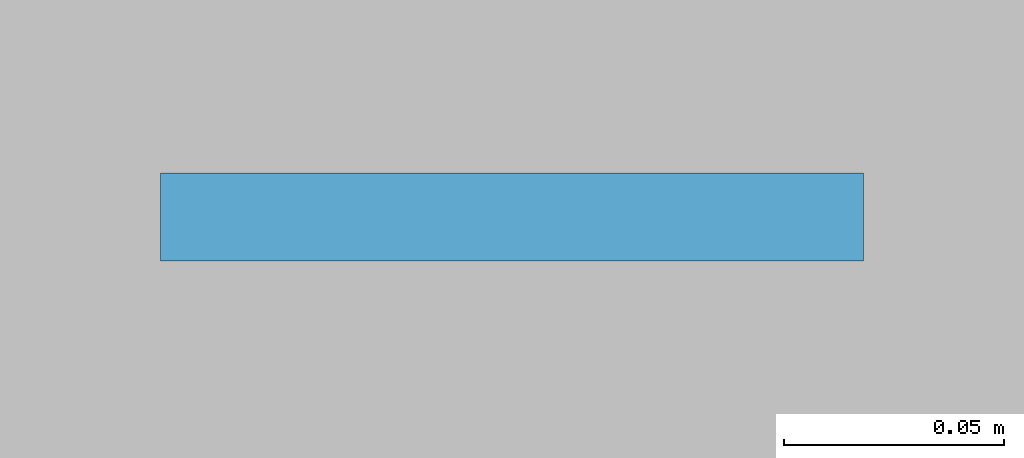
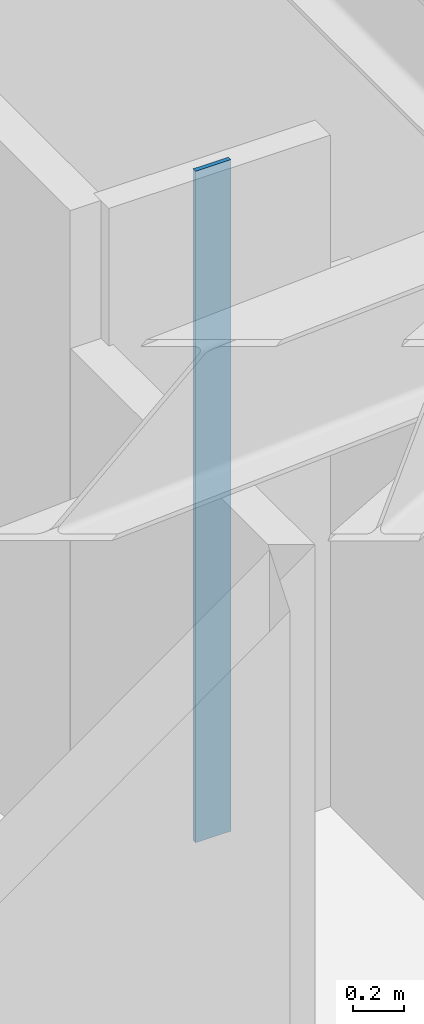
# One storey, part 2 of 9: 1 plate.
"""IFC4 building model written with IfcOpenShell, lengths in metres."""

import ifcopenshell
import ifcopenshell.guid

model = None  # the IFC model being written
_history = None  # IfcOwnerHistory: only IFC2X3 demands one
_inside = {}  # id of a spatial element -> (the spatial element, [elements in it])
_under = {}  # id of a project, library or spatial element -> (it, [spatial elements below it])
_declared = {}  # id of a project -> (the project, [libraries it declares])
_typed = {}  # id of a type object -> (the type object, [elements of that type])
_made_of = {}  # id of a material, layer set ... -> (it, [elements and type objects made of it])


def new_model(schema):
    """Start an empty IFC model of exactly this schema.

    Asked for "IFC4X3", IfcOpenShell would pick the latest addendum, in which some entities
    have other attributes; the version numbers below select the first issue.
    IFC2X3 requires an IfcOwnerHistory on every rooted entity: one is made here for all.
    """
    global model, _history
    if schema == "IFC4X3":
        model = ifcopenshell.file(schema_version=(4, 3, 0, 0))
    else:
        model = ifcopenshell.file(schema=schema)
    _inside.clear()
    _under.clear()
    _declared.clear()
    _typed.clear()
    _made_of.clear()
    _history = None
    if model.schema == "IFC2X3":
        org = make("IfcOrganization", Name="unknown")
        user = make(
            "IfcPersonAndOrganization",
            ThePerson=make("IfcPerson", FamilyName="unknown"),
            TheOrganization=org,
        )
        app = make(
            "IfcApplication",
            ApplicationDeveloper=org,
            Version="unknown",
            ApplicationFullName="unknown",
            ApplicationIdentifier="unknown",
        )
        _history = make(
            "IfcOwnerHistory",
            OwningUser=user,
            OwningApplication=app,
            ChangeAction="ADDED",
            CreationDate=0,
        )
    return model


def make(cls, **values):
    """One entity of the class cls with the attributes given. An attribute that is None is left unset."""
    return model.create_entity(
        cls, **{name: value for name, value in values.items() if value is not None}
    )


def rooted(cls, **values):
    """An entity with a GlobalId (a new one), such as an element, a storey or a relation."""
    return make(cls, GlobalId=ifcopenshell.guid.new(), OwnerHistory=_history, **values)


def si_unit(unit_type, name, prefix=None):
    """IfcSIUnit, for example si_unit("LENGTHUNIT", "METRE", prefix="MILLI")."""
    return make("IfcSIUnit", UnitType=unit_type, Prefix=prefix, Name=name)


def assignment(units):
    """IfcUnitAssignment: the units of a project."""
    return None if units is None else make("IfcUnitAssignment", Units=units)


def point(xyz):
    """IfcCartesianPoint."""
    return None if xyz is None else make("IfcCartesianPoint", Coordinates=xyz)


def direction(xyz):
    """IfcDirection."""
    return None if xyz is None else make("IfcDirection", DirectionRatios=xyz)


def frame(location, z_axis=None, x_axis=None):
    """IfcAxis2Placement3D, a coordinate frame: its origin and axes. An axis left out is left unset."""
    return make(
        "IfcAxis2Placement3D",
        Location=point(location),
        Axis=direction(z_axis),
        RefDirection=direction(x_axis),
    )


def frame_2d(location, x_axis=None):
    """IfcAxis2Placement2D, a coordinate frame in the plane: its origin and x axis."""
    return make(
        "IfcAxis2Placement2D", Location=point(location), RefDirection=direction(x_axis)
    )


def origin():
    """The frame at (0, 0, 0) with its axes left unset."""
    return frame((0.0, 0.0, 0.0))


def origin_2d():
    """The frame at (0, 0) in the plane with its x axis left unset."""
    return frame_2d((0.0, 0.0))


def place(relative_to, where):
    """IfcLocalPlacement: puts the frame where relative to a parent placement (None: the world)."""
    return make(
        "IfcLocalPlacement", PlacementRelTo=relative_to, RelativePlacement=where
    )


def context(
    kind, dimensions, precision=None, world=None, true_north=None, identifier=None
):
    """IfcGeometricRepresentationContext, for example the 3D "Model" context."""
    return make(
        "IfcGeometricRepresentationContext",
        ContextIdentifier=identifier,
        ContextType=kind,
        CoordinateSpaceDimension=dimensions,
        Precision=precision,
        WorldCoordinateSystem=world,
        TrueNorth=true_north,
    )


def subcontext(parent, identifier, kind, view, scale=None):
    """IfcGeometricRepresentationSubContext, for example "Body" below "Model"."""
    return make(
        "IfcGeometricRepresentationSubContext",
        ContextIdentifier=identifier,
        ContextType=kind,
        ParentContext=parent,
        TargetScale=scale,
        TargetView=view,
    )


def project(units=None, contexts=None):
    """IfcProject with its units and contexts."""
    return rooted(
        "IfcProject",
        Name="project",
        RepresentationContexts=contexts,
        UnitsInContext=assignment(units),
    )


def spatial(cls, under=None, at=None, **own):
    """A site, building, storey or space (cls), placed at a placement, below another one or the project."""
    s = rooted(cls, ObjectPlacement=at, **own)
    if under is not None:
        _under.setdefault(under.id(), (under, []))[1].append(s)
    return s


def profile(cls, at=None, kind="AREA", **sizes):
    """A parametric profile (cls). Its sizes go by their IFC names, for example OverallWidth=200.0."""
    return make(cls, ProfileType=kind, Position=at, **sizes)


def rectangle(**sizes):
    """IfcRectangleProfileDef."""
    return profile("IfcRectangleProfileDef", **sizes)


def extrude(swept, where, along, depth):
    """IfcExtrudedAreaSolid: the profile swept, set in the frame where, extruded along a direction by depth."""
    return make(
        "IfcExtrudedAreaSolid",
        SweptArea=swept,
        Position=where,
        ExtrudedDirection=direction(along),
        Depth=depth,
    )


def shape(context_of_items, identifier, shape_type, items):
    """IfcShapeRepresentation: the items that make up one representation, for example the "Body"."""
    return make(
        "IfcShapeRepresentation",
        ContextOfItems=context_of_items,
        RepresentationIdentifier=identifier,
        RepresentationType=shape_type,
        Items=items,
    )


def material(Name=None, Category=None):
    """IfcMaterial."""
    return make("IfcMaterial", Name=Name, Category=Category)


def layer(
    of_material, thickness, ventilated=None, Name=None, Category=None, Priority=None
):
    """IfcMaterialLayer: one layer of a wall or slab, of a material (None: an air gap)."""
    return make(
        "IfcMaterialLayer",
        Material=of_material,
        LayerThickness=thickness,
        IsVentilated=ventilated,
        Name=Name,
        Category=Category,
        Priority=Priority,
    )


def layer_set(layers, Name=None):
    """IfcMaterialLayerSet."""
    return make("IfcMaterialLayerSet", MaterialLayers=layers, LayerSetName=Name)


def made_of(thing, what):
    """Note that an element or type object is made of a material, layer set ...; save() writes the relation."""
    if what is not None:
        _made_of.setdefault(what.id(), (what, []))[1].append(thing)
    return thing


def type_object(cls, material=None, **own):
    """A type object (cls), such as IfcWallType, which elements share."""
    return made_of(rooted(cls, **own), material)


def element(
    cls,
    number,
    at=None,
    inside=None,
    cuts=None,
    type_object=None,
    material=None,
    context=None,
    identifier="Body",
    shape_type=None,
    held_by="IfcProductDefinitionShape",
    body=None,
    shapes=None,
    **own,
):
    """One element of the class cls, such as IfcWall. Its Tag is "e" and its number.

    at: its placement. inside: the storey or other place that contains it. cuts: it is an
    opening in that element (IfcRelVoidsElement). A single representation is given by context,
    identifier, shape_type and body (its items); several are given by shapes. held_by: the class
    of the entity that holds the representations. save() writes the other relations.
    """
    e = rooted(cls, Tag="e%d" % number, ObjectPlacement=at, **own)
    if body is not None:
        shapes = [shape(context, identifier, shape_type, body)]
    if shapes is not None:
        e.Representation = make(held_by, Representations=shapes)
    if inside is not None:
        _inside.setdefault(inside.id(), (inside, []))[1].append(e)
    if cuts is not None:
        rooted(
            "IfcRelVoidsElement", RelatingBuildingElement=cuts, RelatedOpeningElement=e
        )
    if type_object is not None:
        _typed.setdefault(type_object.id(), (type_object, []))[1].append(e)
    return made_of(e, material)


def aggregate(whole, parts):
    """IfcRelAggregates: a whole, such as a stair, and the parts it consists of."""
    return rooted("IfcRelAggregates", RelatingObject=whole, RelatedObjects=parts)


def save(model, path):
    """Write the relations noted so far, then the file.

    IfcRelAggregates (storeys below a building ...), IfcRelContainedInSpatialStructure (elements
    in a storey), IfcRelDefinesByType, IfcRelAssociatesMaterial and IfcRelDeclares: one each for
    every whole, place, type object, material and project.
    """
    for whole, parts in _under.values():
        aggregate(whole, parts)
    for where, things in _inside.values():
        rooted(
            "IfcRelContainedInSpatialStructure",
            RelatedElements=things,
            RelatingStructure=where,
        )
    for kind, things in _typed.values():
        rooted("IfcRelDefinesByType", RelatedObjects=things, RelatingType=kind)
    for what, things in _made_of.values():
        rooted("IfcRelAssociatesMaterial", RelatedObjects=things, RelatingMaterial=what)
    for by, libraries in _declared.values():
        rooted("IfcRelDeclares", RelatingContext=by, RelatedDefinitions=libraries)
    model.write(path)


model = new_model("IFC4")

# Units and contexts
model_context = context("Model", 3, precision=1e-05, world=origin(), true_north=direction((0.0, 1.0)))
body_context = subcontext(model_context, "Body", "Model", "MODEL_VIEW")
ifc_project = project(units=[si_unit("LENGTHUNIT", "METRE"), si_unit("AREAUNIT", "SQUARE_METRE"), si_unit("VOLUMEUNIT", "CUBIC_METRE"), si_unit("PLANEANGLEUNIT", "RADIAN"), si_unit("MASSUNIT", "GRAM", prefix="KILO")], contexts=[model_context])

# Site, building, storey
site_placement = place(None, origin())
site = spatial("IfcSite", under=ifc_project, at=site_placement, CompositionType="ELEMENT")
building_placement = place(site_placement, origin())
building = spatial("IfcBuilding", under=site, at=building_placement, Name="Miruveldt Soraemaru", CompositionType="ELEMENT")
storey_placement = place(building_placement, frame((0.0, 0.0, 170.39990234375)))
storey = spatial("IfcBuildingStorey", under=building, at=storey_placement, Name="L47", CompositionType="ELEMENT", Elevation=170.39990234375)

# Plate
ifc_material = material(Name="Anodised aluminium EN AW-6063 T6", Category="aluminium")
ifc_layer = layer(ifc_material, 0.02001953125, Name="Anodised aluminium EN AW-6063 T6", Category="aluminium")
ifc_layer_set = layer_set([ifc_layer], Name="Anodised aluminium EN AW-6063 T6")
plate_type = type_object("IfcPlateType", Name="PLT-PART-TRIM", PredefinedType="SHEET", material=ifc_layer_set)
plate_placement = place(storey_placement, frame((55.16455078125, 36.700927734375, 0.0), z_axis=(0.0, 0.0, 1.0), x_axis=(1.0, 0.0, 0.0)))
element("IfcPlate", 1, at=plate_placement, inside=storey, type_object=plate_type, Name="L47 Partition Step Corner Trim Plate 044", PredefinedType="SHEET", context=body_context, shape_type="SweptSolid", body=[
    extrude(rectangle(XDim=0.159912109375, YDim=0.02001953125, at=origin_2d()), origin(), (0.0, 0.0, 1.0), 3.235107421875),
])

save(model, "model.ifc")
